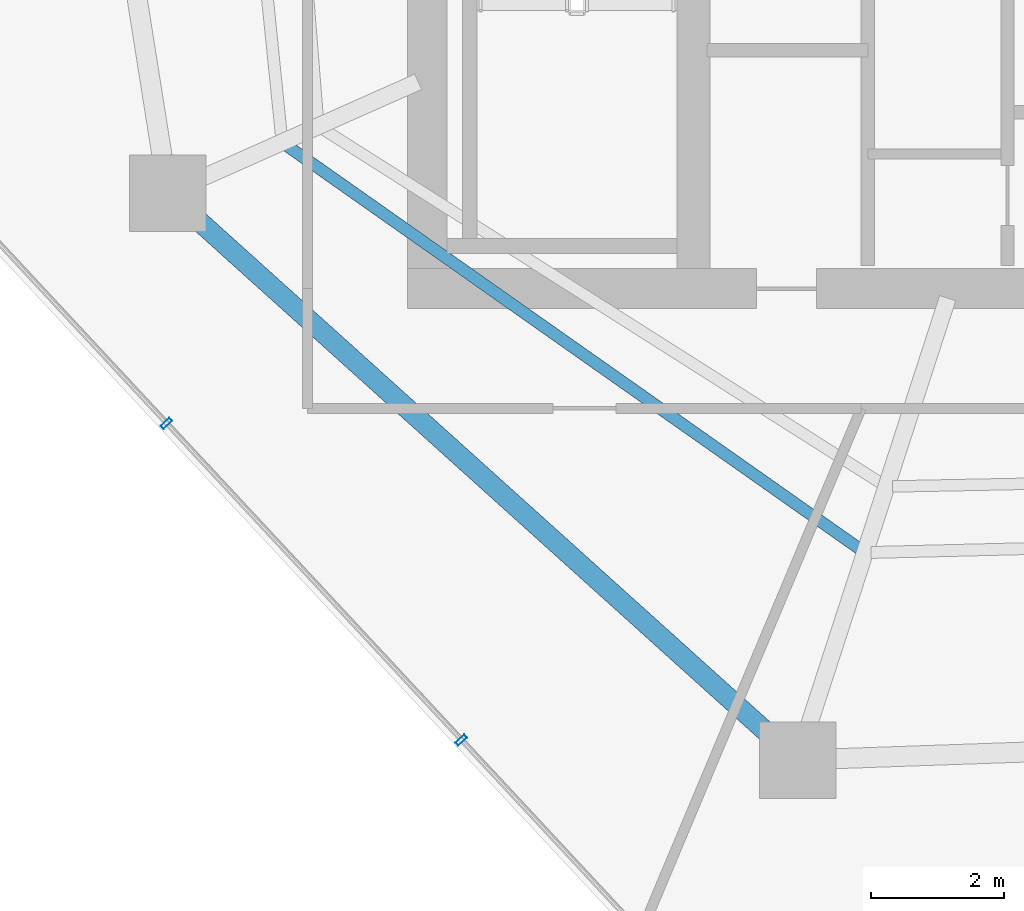
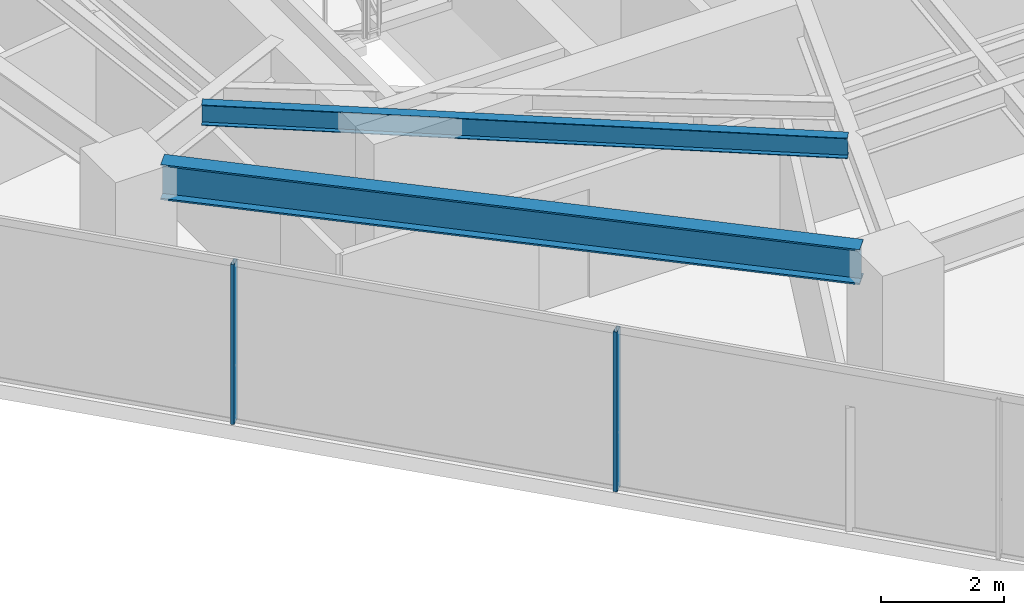
# One storey, part 2 of 23: 2 beams, 2 members, 1 element without a shape of its own.
"""IFC4 building model written with IfcOpenShell, lengths in metres."""

from ifc_helpers import new_model, si_unit, direction, frame, origin, origin_2d, place, context, subcontext, project, spatial, hollow_rectangle, i_section, extrude, material, layer, layer_set, material_profile, profile_set, type_object, element, aggregate, save


model = new_model("IFC4")

# Units and contexts
model_context = context("Model", 3, precision=1e-05, world=origin(), true_north=direction((0.0, 1.0)))
body_context = subcontext(model_context, "Body", "Model", "MODEL_VIEW")
ifc_project = project(units=[si_unit("LENGTHUNIT", "METRE"), si_unit("AREAUNIT", "SQUARE_METRE"), si_unit("VOLUMEUNIT", "CUBIC_METRE"), si_unit("PLANEANGLEUNIT", "RADIAN"), si_unit("MASSUNIT", "GRAM", prefix="KILO")], contexts=[model_context])

# Site, building, storey
site_placement = place(None, origin())
site = spatial("IfcSite", under=ifc_project, at=site_placement, CompositionType="ELEMENT")
building_placement = place(site_placement, origin())
building = spatial("IfcBuilding", under=site, at=building_placement, Name="Qarnah Convention Tower", CompositionType="ELEMENT")
storey_placement = place(building_placement, frame((0.0, 0.0, 114.300048828125)))
storey = spatial("IfcBuildingStorey", under=building, at=storey_placement, Name="L30", CompositionType="ELEMENT", Elevation=114.300048828125)

# Beams
ifc_material_1 = material(Name="Structural steel S355JR", Category="steel")
ifc_material_profile_1 = material_profile(ifc_material_1, i_section(OverallWidth=0.177978515625, OverallDepth=0.407958984375, WebThickness=0.008056640625, FlangeThickness=0.012939453125, at=origin_2d()), Name="W410X60")
ifc_profile_set_1 = profile_set([ifc_material_profile_1], Name="Structural steel S355JR")
beam_type_1 = type_object("IfcBeamType", Name="BM-JST-W410", PredefinedType="JOIST", material=ifc_profile_set_1)
beam_1_placement = place(storey_placement, frame((24.69189453125, 20.74609375, 2.966064453125), z_axis=(0.817744581848, -0.57558127042, 0.0), x_axis=(0.57558127042, 0.817744581848, 0.0)))
element("IfcBeam", 1, at=beam_1_placement, inside=storey, type_object=beam_type_1, Name="L30 joist BM-L30-SJST-06", PredefinedType="JOIST", context=body_context, shape_type="SweptSolid", body=[
    extrude(i_section(OverallWidth=0.177978515625, OverallDepth=0.407958984375, WebThickness=0.008056640625, FlangeThickness=0.012939453125, at=origin_2d()), origin(), (0.0, 0.0, 1.0), 10.5302734375),
])
ifc_material_profile_2 = material_profile(ifc_material_1, i_section(OverallWidth=0.300048828125, OverallDepth=0.699951171875, WebThickness=0.01708984375, FlangeThickness=0.031982421875, at=origin_2d()), Name="HEB700")
ifc_profile_set_2 = profile_set([ifc_material_profile_2], Name="Structural steel S355JR")
beam_type_2 = type_object("IfcBeamType", Name="BM-RING-HEB700", PredefinedType="BEAM", material=ifc_profile_set_2)
beam_2_placement = place(storey_placement, frame((23.322998046875, 19.656982421875, 2.820068359375), z_axis=(0.743124603424, -0.669153064541, 0.0), x_axis=(0.669153064541, 0.743124603424, 0.0)))
element("IfcBeam", 2, at=beam_2_placement, inside=storey, type_object=beam_type_2, Name="L30 beam BM-L30-SPN-06", PredefinedType="BEAM", context=body_context, shape_type="SweptSolid", body=[
    extrude(i_section(OverallWidth=0.300048828125, OverallDepth=0.699951171875, WebThickness=0.01708984375, FlangeThickness=0.031982421875, at=origin_2d()), origin(), (0.0, 0.0, 1.0), 11.60107421875),
])

# Curtain wall, members
ifc_material_2 = material(Name="Tempered Low-E dark glass", Category="glass")
ifc_layer = layer(ifc_material_2, 0.169921875)
ifc_layer_set = layer_set([ifc_layer], Name="Tempered Low-E dark glass")
curtain_wall_type = type_object("IfcCurtainWallType", Name="CWS-02", PredefinedType="NOTDEFINED", material=ifc_layer_set)
curtain_wall_placement = place(storey_placement, origin())
curtain_wall = element("IfcCurtainWall", 3, at=curtain_wall_placement, inside=storey, type_object=curtain_wall_type, Name="L30 unitised curtain wall CW-L30-F1", PredefinedType="NOTDEFINED")
ifc_material_3 = material(Name="Black anodised aluminium", Category="aluminium")
ifc_material_profile_3 = material_profile(ifc_material_3, hollow_rectangle(XDim=0.06494140625, YDim=0.179931640625, WallThickness=0.00390625, at=origin_2d()), Name="MUL-65X180")
ifc_profile_set_3 = profile_set([ifc_material_profile_3], Name="Black anodised aluminium")
member_type = type_object("IfcMemberType", Name="MUL-T2", PredefinedType="MULLION", material=ifc_profile_set_3)
member_1_placement = place(storey_placement, frame((27.3115234375, 11.816162109375, 0.0), z_axis=(0.0, 0.0, 1.0), x_axis=(-0.68148272069, 0.731834203492, 0.0)))
member_1 = element("IfcMember", 4, at=member_1_placement, type_object=member_type, Name="CW-L30-F1 mullion 3", PredefinedType="MULLION", context=body_context, shape_type="SweptSolid", body=[
    extrude(hollow_rectangle(XDim=0.06494140625, YDim=0.179931640625, WallThickness=0.00390625, at=origin_2d()), origin(), (0.0, 0.0, 1.0), 3.169921875),
])
member_2_placement = place(storey_placement, frame((22.88037109375, 16.57470703125, 0.0), z_axis=(0.0, 0.0, 1.0), x_axis=(-0.68148272069, 0.731834203492, 0.0)))
member_2 = element("IfcMember", 5, at=member_2_placement, type_object=member_type, Name="CW-L30-F1 mullion 4", PredefinedType="MULLION", context=body_context, shape_type="SweptSolid", body=[
    extrude(hollow_rectangle(XDim=0.06494140625, YDim=0.179931640625, WallThickness=0.00390625, at=origin_2d()), origin(), (0.0, 0.0, 1.0), 3.169921875),
])
aggregate(curtain_wall, [member_1, member_2])

save(model, "model.ifc")
